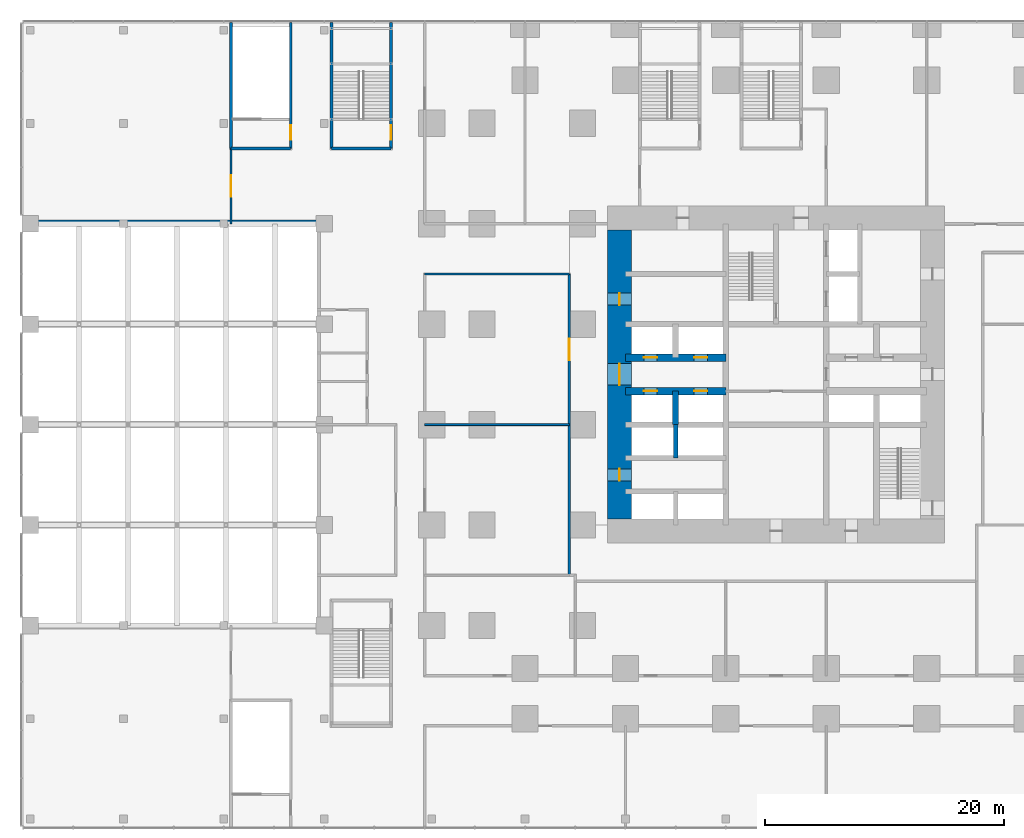
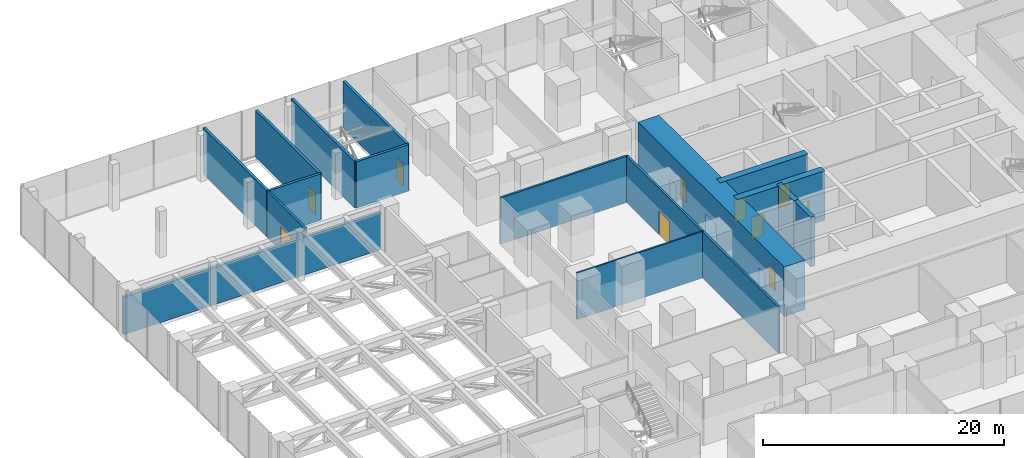
# One storey, part 27 of 33: 16 walls, 11 doors, 11 openings.
"""IFC4 building model written with IfcOpenShell, lengths in metres."""

from ifc_helpers import new_model, si_unit, direction, frame, frame_2d, origin, place, context, subcontext, project, spatial, rectangle, extrude, material, layer, layer_set, type_object, element, fill, save


model = new_model("IFC4")

# Units and contexts
model_context = context("Model", 3, precision=1e-05, world=origin(), true_north=direction((0.0, 1.0)))
body_context = subcontext(model_context, "Body", "Model", "MODEL_VIEW")
ifc_project = project(units=[si_unit("LENGTHUNIT", "METRE"), si_unit("AREAUNIT", "SQUARE_METRE"), si_unit("VOLUMEUNIT", "CUBIC_METRE"), si_unit("PLANEANGLEUNIT", "RADIAN"), si_unit("MASSUNIT", "GRAM", prefix="KILO")], contexts=[model_context])

# Site, building, storey
site_placement = place(None, origin())
site = spatial("IfcSite", under=ifc_project, at=site_placement, CompositionType="ELEMENT")
building_placement = place(site_placement, origin())
building = spatial("IfcBuilding", under=site, at=building_placement, Name="Dunama Terrace Hotel", CompositionType="ELEMENT")
storey_placement = place(building_placement, frame((0.0, 0.0, 12.0)))
storey = spatial("IfcBuildingStorey", under=building, at=storey_placement, Name="L02", CompositionType="ELEMENT", Elevation=12.0)

# Walls
ifc_material_1 = material(Name="Concrete blockwork", Category="masonry")
ifc_layer_1 = layer(ifc_material_1, 0.300048828125)
ifc_layer_set_1 = layer_set([ifc_layer_1], Name="Ballroom enclosure wall 300")
wall_type_1 = type_object("IfcWallType", Name="Ballroom enclosure wall 300", PredefinedType="PARTITIONING", material=ifc_layer_set_1)
wall_1_placement = place(storey_placement, frame((-33.60009765625, 42.14990234375, 0.0), z_axis=(0.0, 0.0, 1.0), x_axis=(1.0, 0.0, 0.0)))
element("IfcWall", 1, at=wall_1_placement, inside=storey, type_object=wall_type_1, Name="Ballroom enclosure wall", PredefinedType="PARTITIONING", context=body_context, shape_type="SweptSolid", body=[
    extrude(rectangle(XDim=24.60009765625, YDim=0.300048828125, at=frame_2d((12.300048828125, 0.0))), origin(), (0.0, 0.0, 1.0), 3.779052734375),
])
ifc_material_2 = material(Name="Concrete C50/60", Category="concrete")
ifc_layer_2 = layer(ifc_material_2, 0.39990234375)
ifc_layer_set_2 = layer_set([ifc_layer_2], Name="Core inner wall 400")
wall_type_2 = type_object("IfcWallType", Name="Core inner wall 400", PredefinedType="SHEAR", material=ifc_layer_set_2)
wall_2_placement = place(storey_placement, frame((21.0, 22.39990234375, -0.300048828125), z_axis=(0.0, 0.0, 1.0), x_axis=(0.0, 1.0, 0.0)))
element("IfcWall", 2, at=wall_2_placement, inside=storey, type_object=wall_type_2, Name="Core inner wall 400 L02", PredefinedType="SHEAR", context=body_context, shape_type="SweptSolid", body=[
    extrude(rectangle(XDim=2.800048828125, YDim=0.39990234375, at=frame_2d((1.39990234375, 0.0))), origin(), (0.0, 0.0, 1.0), 5.0),
])
ifc_material_3 = material(Name="Concrete C50/60", Category="concrete")
ifc_layer_3 = layer(ifc_material_3, 0.5)
ifc_layer_set_3 = layer_set([ifc_layer_3], Name="Core inner wall 500")
wall_type_3 = type_object("IfcWallType", Name="Core inner wall 500", PredefinedType="SHEAR", material=ifc_layer_set_3)
wall_3_placement = place(storey_placement, frame((21.0, 25.199951171875, -0.300048828125), z_axis=(0.0, 0.0, 1.0), x_axis=(0.0, 1.0, 0.0)))
element("IfcWall", 3, at=wall_3_placement, inside=storey, type_object=wall_type_3, Name="Core inner wall 500 L02", PredefinedType="SHEAR", context=body_context, shape_type="SweptSolid", body=[
    extrude(rectangle(XDim=2.800048828125, YDim=0.5, at=frame_2d((1.39990234375, 0.0))), origin(), (0.0, 0.0, 1.0), 5.0),
])

# Wall, openings, doors
ifc_material_4 = material(Name="Concrete C50/60", Category="concrete")
ifc_layer_4 = layer(ifc_material_4, 0.64990234375)
ifc_layer_set_4 = layer_set([ifc_layer_4], Name="Core inner wall 650")
wall_type_4 = type_object("IfcWallType", Name="Core inner wall 650", PredefinedType="SHEAR", material=ifc_layer_set_4)
wall_4_placement = place(storey_placement, frame((16.800048828125, 28.0, -0.300048828125), z_axis=(0.0, 0.0, 1.0), x_axis=(1.0, 0.0, 0.0)))
wall_4 = element("IfcWall", 4, at=wall_4_placement, inside=storey, type_object=wall_type_4, Name="Core inner wall 650 L02", PredefinedType="SHEAR", context=body_context, shape_type="SweptSolid", body=[
    extrude(rectangle(XDim=8.39990234375, YDim=0.64990234375, at=frame_2d((4.199951171875, 0.0))), origin(), (0.0, 0.0, 1.0), 5.0),
])
opening_1_placement = place(wall_4_placement, frame((1.550048828125, 0.0, 0.300048828125)))
opening_1 = element("IfcOpeningElement", 5, at=opening_1_placement, cuts=wall_4, Name="Opening L02-009", PredefinedType="OPENING", context=body_context, shape_type="SweptSolid", body=[
    extrude(rectangle(XDim=1.10009765625, YDim=2.199951171875, at=frame_2d((0.550048828125, 1.10009765625))), frame((0.0, 0.3349609375, 0.0), z_axis=(0.0, -1.0, 0.0), x_axis=(1.0, 0.0, 0.0)), (0.0, 0.0, 1.0), 0.669921875),
])
opening_2_placement = place(wall_4_placement, frame((5.75, 0.0, 0.300048828125)))
opening_2 = element("IfcOpeningElement", 6, at=opening_2_placement, cuts=wall_4, Name="Opening L02-010", PredefinedType="OPENING", context=body_context, shape_type="SweptSolid", body=[
    extrude(rectangle(XDim=1.10009765625, YDim=2.199951171875, at=frame_2d((0.550048828125, 1.10009765625))), frame((0.0, 0.3349609375, 0.0), z_axis=(0.0, -1.0, 0.0), x_axis=(1.0, 0.0, 0.0)), (0.0, 0.0, 1.0), 0.669921875),
])
ifc_material_5 = material(Name="Stainless steel lift door", Category="steel")
door_type_1 = type_object("IfcDoorType", Name="Lift landing door 1100", OperationType="DOUBLE_DOOR_SLIDING", PredefinedType="DOOR", material=ifc_material_5)
door_1_placement = place(opening_1_placement, origin())
door_1 = element("IfcDoor", 7, at=door_1_placement, inside=storey, type_object=door_type_1, Name="Landing door PA1 L02-009, type LD1", OperationType="DOUBLE_DOOR_SLIDING", OverallHeight=2.199951171875, OverallWidth=1.10009765625, PredefinedType="DOOR", context=body_context, shape_type="SweptSolid", body=[
    extrude(rectangle(XDim=1.10009765625, YDim=2.199951171875, at=frame_2d((0.550048828125, 1.10009765625))), frame((0.0, 0.02490234375, 0.0), z_axis=(0.0, -1.0, 0.0), x_axis=(1.0, 0.0, 0.0)), (0.0, 0.0, 1.0), 0.050048828125),
])
fill(opening_1, door_1)
door_2_placement = place(opening_2_placement, origin())
door_2 = element("IfcDoor", 8, at=door_2_placement, inside=storey, type_object=door_type_1, Name="Landing door PA2 L02-010, type LD1", OperationType="DOUBLE_DOOR_SLIDING", OverallHeight=2.199951171875, OverallWidth=1.10009765625, PredefinedType="DOOR", context=body_context, shape_type="SweptSolid", body=[
    extrude(rectangle(XDim=1.10009765625, YDim=2.199951171875, at=frame_2d((0.550048828125, 1.10009765625))), frame((0.0, 0.02490234375, 0.0), z_axis=(0.0, -1.0, 0.0), x_axis=(1.0, 0.0, 0.0)), (0.0, 0.0, 1.0), 0.050048828125),
])
fill(opening_2, door_2)

wall_5_placement = place(storey_placement, frame((16.800048828125, 30.800048828125, -0.300048828125), z_axis=(0.0, 0.0, 1.0), x_axis=(1.0, 0.0, 0.0)))
wall_5 = element("IfcWall", 9, at=wall_5_placement, inside=storey, type_object=wall_type_4, Name="Core inner wall 650 L02", PredefinedType="SHEAR", context=body_context, shape_type="SweptSolid", body=[
    extrude(rectangle(XDim=8.39990234375, YDim=0.64990234375, at=frame_2d((4.199951171875, 0.0))), origin(), (0.0, 0.0, 1.0), 5.0),
])
opening_3_placement = place(wall_5_placement, frame((1.550048828125, 0.0, 0.300048828125)))
opening_3 = element("IfcOpeningElement", 10, at=opening_3_placement, cuts=wall_5, Name="Opening L02-011", PredefinedType="OPENING", context=body_context, shape_type="SweptSolid", body=[
    extrude(rectangle(XDim=1.10009765625, YDim=2.199951171875, at=frame_2d((0.550048828125, 1.10009765625))), frame((0.0, 0.3349609375, 0.0), z_axis=(0.0, -1.0, 0.0), x_axis=(1.0, 0.0, 0.0)), (0.0, 0.0, 1.0), 0.669921875),
])
opening_4_placement = place(wall_5_placement, frame((5.75, 0.0, 0.300048828125)))
opening_4 = element("IfcOpeningElement", 11, at=opening_4_placement, cuts=wall_5, Name="Opening L02-012", PredefinedType="OPENING", context=body_context, shape_type="SweptSolid", body=[
    extrude(rectangle(XDim=1.10009765625, YDim=2.199951171875, at=frame_2d((0.550048828125, 1.10009765625))), frame((0.0, 0.3349609375, 0.0), z_axis=(0.0, -1.0, 0.0), x_axis=(1.0, 0.0, 0.0)), (0.0, 0.0, 1.0), 0.669921875),
])
door_3_placement = place(opening_3_placement, origin())
door_3 = element("IfcDoor", 12, at=door_3_placement, inside=storey, type_object=door_type_1, Name="Landing door PA3 L02-011, type LD1", OperationType="DOUBLE_DOOR_SLIDING", OverallHeight=2.199951171875, OverallWidth=1.10009765625, PredefinedType="DOOR", context=body_context, shape_type="SweptSolid", body=[
    extrude(rectangle(XDim=1.10009765625, YDim=2.199951171875, at=frame_2d((0.550048828125, 1.10009765625))), frame((0.0, 0.02490234375, 0.0), z_axis=(0.0, -1.0, 0.0), x_axis=(1.0, 0.0, 0.0)), (0.0, 0.0, 1.0), 0.050048828125),
])
fill(opening_3, door_3)
door_4_placement = place(opening_4_placement, origin())
door_4 = element("IfcDoor", 13, at=door_4_placement, inside=storey, type_object=door_type_1, Name="Landing door PA4 L02-012, type LD1", OperationType="DOUBLE_DOOR_SLIDING", OverallHeight=2.199951171875, OverallWidth=1.10009765625, PredefinedType="DOOR", context=body_context, shape_type="SweptSolid", body=[
    extrude(rectangle(XDim=1.10009765625, YDim=2.199951171875, at=frame_2d((0.550048828125, 1.10009765625))), frame((0.0, 0.02490234375, 0.0), z_axis=(0.0, -1.0, 0.0), x_axis=(1.0, 0.0, 0.0)), (0.0, 0.0, 1.0), 0.050048828125),
])
fill(opening_4, door_4)

ifc_material_6 = material(Name="Concrete C60/75", Category="concrete")
ifc_layer_5 = layer(ifc_material_6, 2.0)
ifc_layer_set_5 = layer_set([ifc_layer_5], Name="Core wall 2000")
wall_type_5 = type_object("IfcWallType", Name="Core wall 2000", PredefinedType="SHEAR", material=ifc_layer_set_5)
wall_6_placement = place(storey_placement, frame((16.300048828125, 41.5, -0.300048828125), z_axis=(0.0, 0.0, 1.0), x_axis=(0.0, -1.0, 0.0)))
wall_6 = element("IfcWall", 14, at=wall_6_placement, inside=storey, type_object=wall_type_5, Name="Core wall west L02", PredefinedType="SHEAR", context=body_context, shape_type="SweptSolid", body=[
    extrude(rectangle(XDim=24.199951171875, YDim=2.0, at=frame_2d((12.10009765625, 0.0))), origin(), (0.0, 0.0, 1.0), 5.0),
])
opening_5_placement = place(wall_6_placement, frame((11.199951171875, 0.0, 0.300048828125)))
opening_5 = element("IfcOpeningElement", 15, at=opening_5_placement, cuts=wall_6, Name="Opening L02-015", PredefinedType="OPENING", context=body_context, shape_type="SweptSolid", body=[
    extrude(rectangle(XDim=1.800048828125, YDim=2.199951171875, at=frame_2d((0.89990234375, 1.10009765625))), frame((0.0, 1.010009765625, 0.0), z_axis=(0.0, -1.0, 0.0), x_axis=(1.0, 0.0, 0.0)), (0.0, 0.0, 1.0), 2.02001953125),
])
opening_6_placement = place(wall_6_placement, frame((20.0, 0.0, 0.300048828125)))
opening_6 = element("IfcOpeningElement", 16, at=opening_6_placement, cuts=wall_6, Name="Opening L02-016", PredefinedType="OPENING", context=body_context, shape_type="SweptSolid", body=[
    extrude(rectangle(XDim=1.0, YDim=2.10009765625, at=frame_2d((0.5, 1.050048828125))), frame((0.0, 1.010009765625, 0.0), z_axis=(0.0, -1.0, 0.0), x_axis=(1.0, 0.0, 0.0)), (0.0, 0.0, 1.0), 2.02001953125),
])
opening_7_placement = place(wall_6_placement, frame((5.300048828125, 0.0, 0.300048828125)))
opening_7 = element("IfcOpeningElement", 17, at=opening_7_placement, cuts=wall_6, Name="Opening L02-017", PredefinedType="OPENING", context=body_context, shape_type="SweptSolid", body=[
    extrude(rectangle(XDim=1.0, YDim=2.10009765625, at=frame_2d((0.5, 1.050048828125))), frame((0.0, 1.010009765625, 0.0), z_axis=(0.0, -1.0, 0.0), x_axis=(1.0, 0.0, 0.0)), (0.0, 0.0, 1.0), 2.02001953125),
])
ifc_material_7 = material(Name="Timber door with steel frame", Category="steel")
door_type_2 = type_object("IfcDoorType", Name="Lift lobby double door 1800", OperationType="DOUBLE_DOOR_DOUBLE_SWING", PredefinedType="DOOR", material=ifc_material_7)
door_5_placement = place(opening_5_placement, origin())
door_5 = element("IfcDoor", 18, at=door_5_placement, inside=storey, type_object=door_type_2, Name="Door to lift lobby L02-015, type D3", OperationType="DOUBLE_DOOR_DOUBLE_SWING", OverallHeight=2.199951171875, OverallWidth=1.800048828125, PredefinedType="DOOR", context=body_context, shape_type="SweptSolid", body=[
    extrude(rectangle(XDim=1.800048828125, YDim=2.199951171875, at=frame_2d((0.89990234375, 1.10009765625))), frame((0.0, 0.02490234375, 0.0), z_axis=(0.0, -1.0, 0.0), x_axis=(1.0, 0.0, 0.0)), (0.0, 0.0, 1.0), 0.050048828125),
])
fill(opening_5, door_5)
ifc_material_8 = material(Name="Timber door with steel frame", Category="steel")
door_type_3 = type_object("IfcDoorType", Name="Service door 1000", OperationType="SINGLE_SWING_LEFT", PredefinedType="DOOR", material=ifc_material_8)
door_6_placement = place(opening_6_placement, origin())
door_6 = element("IfcDoor", 19, at=door_6_placement, inside=storey, type_object=door_type_3, Name="Door to service lobby L02-016, type D7", OperationType="SINGLE_SWING_LEFT", OverallHeight=2.10009765625, OverallWidth=1.0, PredefinedType="DOOR", context=body_context, shape_type="SweptSolid", body=[
    extrude(rectangle(XDim=1.0, YDim=2.10009765625, at=frame_2d((0.5, 1.050048828125))), frame((0.0, 0.02490234375, 0.0), z_axis=(0.0, -1.0, 0.0), x_axis=(1.0, 0.0, 0.0)), (0.0, 0.0, 1.0), 0.050048828125),
])
fill(opening_6, door_6)
door_7_placement = place(opening_7_placement, origin())
door_7 = element("IfcDoor", 20, at=door_7_placement, inside=storey, type_object=door_type_3, Name="Door to electrical room L02-017, type D7", OperationType="SINGLE_SWING_RIGHT", OverallHeight=2.10009765625, OverallWidth=1.0, PredefinedType="DOOR", context=body_context, shape_type="SweptSolid", body=[
    extrude(rectangle(XDim=1.0, YDim=2.10009765625, at=frame_2d((0.5, 1.050048828125))), frame((0.0, 0.02490234375, 0.0), z_axis=(0.0, -1.0, 0.0), x_axis=(1.0, 0.0, 0.0)), (0.0, 0.0, 1.0), 0.050048828125),
])
fill(opening_7, door_7)

# Wall
ifc_material_9 = material(Name="Concrete blockwork", Category="masonry")
ifc_layer_6 = layer(ifc_material_9, 0.199951171875)
ifc_layer_set_6 = layer_set([ifc_layer_6], Name="Corridor partition 200")
wall_type_6 = type_object("IfcWallType", Name="Corridor partition 200", PredefinedType="PARTITIONING", material=ifc_layer_set_6)
wall_7_placement = place(storey_placement, frame((0.0, 37.800048828125, 0.0), z_axis=(0.0, 0.0, 1.0), x_axis=(1.0, 0.0, 0.0)))
element("IfcWall", 21, at=wall_7_placement, inside=storey, type_object=wall_type_6, Name="Corridor partition 200 L02", PredefinedType="PARTITIONING", context=body_context, shape_type="SweptSolid", body=[
    extrude(rectangle(XDim=12.10009765625, YDim=0.199951171875, at=frame_2d((6.050048828125, 0.0))), origin(), (0.0, 0.0, 1.0), 4.699951171875),
])

# Wall, opening, door
wall_8_placement = place(storey_placement, frame((-16.199951171875, 48.300048828125, 0.0), z_axis=(0.0, 0.0, 1.0), x_axis=(0.0, -1.0, 0.0)))
wall_8 = element("IfcWall", 22, at=wall_8_placement, inside=storey, type_object=wall_type_6, Name="Corridor partition 200 L02", PredefinedType="PARTITIONING", context=body_context, shape_type="SweptSolid", body=[
    extrude(rectangle(XDim=6.300048828125, YDim=0.199951171875, at=frame_2d((3.14990234375, 0.0))), origin(), (0.0, 0.0, 1.0), 4.699951171875),
])
opening_8_placement = place(wall_8_placement, frame((2.25, 0.0, 0.0)))
opening_8 = element("IfcOpeningElement", 23, at=opening_8_placement, cuts=wall_8, Name="Opening L02-028", PredefinedType="OPENING", context=body_context, shape_type="SweptSolid", body=[
    extrude(rectangle(XDim=1.800048828125, YDim=2.39990234375, at=frame_2d((0.89990234375, 1.199951171875))), frame((0.0, 0.10986328125, 0.0), z_axis=(0.0, -1.0, 0.0), x_axis=(1.0, 0.0, 0.0)), (0.0, 0.0, 1.0), 0.219970703125),
])
ifc_material_10 = material(Name="Aluminium-framed glazed door", Category="aluminium")
door_type_4 = type_object("IfcDoorType", Name="Glazed double door 1800", OperationType="DOUBLE_DOOR_DOUBLE_SWING", PredefinedType="DOOR", material=ifc_material_10)
door_8_placement = place(opening_8_placement, origin())
door_8 = element("IfcDoor", 24, at=door_8_placement, inside=storey, type_object=door_type_4, Name="Door to meeting room 5 L02-028, type D8", OperationType="DOUBLE_DOOR_DOUBLE_SWING", OverallHeight=2.39990234375, OverallWidth=1.800048828125, PredefinedType="DOOR", context=body_context, shape_type="SweptSolid", body=[
    extrude(rectangle(XDim=1.800048828125, YDim=2.39990234375, at=frame_2d((0.89990234375, 1.199951171875))), frame((0.0, 0.02490234375, 0.0), z_axis=(0.0, -1.0, 0.0), x_axis=(1.0, 0.0, 0.0)), (0.0, 0.0, 1.0), 0.050048828125),
])
fill(opening_8, door_8)

wall_9_placement = place(storey_placement, frame((12.10009765625, 37.800048828125, 0.0), z_axis=(0.0, 0.0, 1.0), x_axis=(0.0, -1.0, 0.0)))
wall_9 = element("IfcWall", 25, at=wall_9_placement, inside=storey, type_object=wall_type_6, Name="Corridor partition 200 L02", PredefinedType="PARTITIONING", context=body_context, shape_type="SweptSolid", body=[
    extrude(rectangle(XDim=25.199951171875, YDim=0.199951171875, at=frame_2d((12.60009765625, 0.0))), origin(), (0.0, 0.0, 1.0), 4.699951171875),
])
opening_9_placement = place(wall_9_placement, frame((5.39990234375, 0.0, 0.0)))
opening_9 = element("IfcOpeningElement", 26, at=opening_9_placement, cuts=wall_9, Name="Opening L02-043", PredefinedType="OPENING", context=body_context, shape_type="SweptSolid", body=[
    extrude(rectangle(XDim=1.800048828125, YDim=2.39990234375, at=frame_2d((0.89990234375, 1.199951171875))), frame((0.0, 0.10986328125, 0.0), z_axis=(0.0, -1.0, 0.0), x_axis=(1.0, 0.0, 0.0)), (0.0, 0.0, 1.0), 0.219970703125),
])
door_9_placement = place(opening_9_placement, origin())
door_9 = element("IfcDoor", 27, at=door_9_placement, inside=storey, type_object=door_type_4, Name="Door to meeting room 12 L02-043, type D8", OperationType="DOUBLE_DOOR_DOUBLE_SWING", OverallHeight=2.39990234375, OverallWidth=1.800048828125, PredefinedType="DOOR", context=body_context, shape_type="SweptSolid", body=[
    extrude(rectangle(XDim=1.800048828125, YDim=2.39990234375, at=frame_2d((0.89990234375, 1.199951171875))), frame((0.0, 0.02490234375, 0.0), z_axis=(0.0, -1.0, 0.0), x_axis=(1.0, 0.0, 0.0)), (0.0, 0.0, 1.0), 0.050048828125),
])
fill(opening_9, door_9)

# Walls
ifc_material_11 = material(Name="Gypsum board partition", Category="masonry")
ifc_layer_7 = layer(ifc_material_11, 0.14990234375)
ifc_layer_set_7 = layer_set([ifc_layer_7], Name="Room partition 150")
wall_type_7 = type_object("IfcWallType", Name="Room partition 150", PredefinedType="PARTITIONING", material=ifc_layer_set_7)
wall_10_placement = place(storey_placement, frame((0.0, 25.199951171875, 0.0), z_axis=(0.0, 0.0, 1.0), x_axis=(1.0, 0.0, 0.0)))
element("IfcWall", 28, at=wall_10_placement, inside=storey, type_object=wall_type_7, Name="Room partition 150 L02", PredefinedType="PARTITIONING", context=body_context, shape_type="SweptSolid", body=[
    extrude(rectangle(XDim=12.10009765625, YDim=0.14990234375, at=frame_2d((6.050048828125, 0.0))), origin(), (0.0, 0.0, 1.0), 4.699951171875),
])
ifc_material_12 = material(Name="Concrete blockwork", Category="masonry")
ifc_layer_8 = layer(ifc_material_12, 0.25)
ifc_layer_set_8 = layer_set([ifc_layer_8], Name="Stair enclosure wall 250")
wall_type_8 = type_object("IfcWallType", Name="Stair enclosure wall 250", PredefinedType="PARTITIONING", material=ifc_layer_set_8)
wall_11_placement = place(storey_placement, frame((-16.199951171875, 48.300048828125, 0.0), z_axis=(0.0, 0.0, 1.0), x_axis=(0.0, 1.0, 0.0)))
element("IfcWall", 29, at=wall_11_placement, inside=storey, type_object=wall_type_8, Name="Stair enclosure wall 250 L02", PredefinedType="PARTITIONING", context=body_context, shape_type="SweptSolid", body=[
    extrude(rectangle(XDim=10.52294921875, YDim=0.25, at=frame_2d((5.261474609375, 0.0))), origin(), (0.0, 0.0, 1.0), 4.699951171875),
])

# Wall, opening, door
wall_12_placement = place(storey_placement, frame((-11.199951171875, 48.300048828125, 0.0), z_axis=(0.0, 0.0, 1.0), x_axis=(0.0, 1.0, 0.0)))
wall_12 = element("IfcWall", 30, at=wall_12_placement, inside=storey, type_object=wall_type_8, Name="Stair enclosure wall 250 L02", PredefinedType="PARTITIONING", context=body_context, shape_type="SweptSolid", body=[
    extrude(rectangle(XDim=10.52294921875, YDim=0.25, at=frame_2d((5.261474609375, 0.0))), origin(), (0.0, 0.0, 1.0), 4.699951171875),
])
opening_10_placement = place(wall_12_placement, frame((0.72509765625, 0.0, 0.0)))
opening_10 = element("IfcOpeningElement", 31, at=opening_10_placement, cuts=wall_12, Name="Opening L02-003", PredefinedType="OPENING", context=body_context, shape_type="SweptSolid", body=[
    extrude(rectangle(XDim=1.199951171875, YDim=2.199951171875, at=frame_2d((0.60009765625, 1.10009765625))), frame((0.0, 0.135009765625, 0.0), z_axis=(0.0, -1.0, 0.0), x_axis=(1.0, 0.0, 0.0)), (0.0, 0.0, 1.0), 0.27001953125),
])
ifc_material_13 = material(Name="Timber door with steel frame", Category="steel")
door_type_5 = type_object("IfcDoorType", Name="Stair door 1200", OperationType="SINGLE_SWING_LEFT", PredefinedType="DOOR", material=ifc_material_13)
door_10_placement = place(opening_10_placement, origin())
door_10 = element("IfcDoor", 32, at=door_10_placement, inside=storey, type_object=door_type_5, Name="Stair door P1 L02-003, type D5", OperationType="SINGLE_SWING_LEFT", OverallHeight=2.199951171875, OverallWidth=1.199951171875, PredefinedType="DOOR", context=body_context, shape_type="SweptSolid", body=[
    extrude(rectangle(XDim=1.199951171875, YDim=2.199951171875, at=frame_2d((0.60009765625, 1.10009765625))), frame((0.0, 0.02490234375, 0.0), z_axis=(0.0, -1.0, 0.0), x_axis=(1.0, 0.0, 0.0)), (0.0, 0.0, 1.0), 0.050048828125),
])
fill(opening_10, door_10)

# Wall
wall_13_placement = place(storey_placement, frame((-7.800048828125, 48.300048828125, 0.0), z_axis=(0.0, 0.0, 1.0), x_axis=(0.0, 1.0, 0.0)))
element("IfcWall", 33, at=wall_13_placement, inside=storey, type_object=wall_type_8, Name="Stair enclosure wall 250 L02", PredefinedType="PARTITIONING", context=body_context, shape_type="SweptSolid", body=[
    extrude(rectangle(XDim=10.52294921875, YDim=0.25, at=frame_2d((5.261474609375, 0.0))), origin(), (0.0, 0.0, 1.0), 4.699951171875),
])

# Wall, opening, door
wall_14_placement = place(storey_placement, frame((-2.800048828125, 48.300048828125, 0.0), z_axis=(0.0, 0.0, 1.0), x_axis=(0.0, 1.0, 0.0)))
wall_14 = element("IfcWall", 34, at=wall_14_placement, inside=storey, type_object=wall_type_8, Name="Stair enclosure wall 250 L02", PredefinedType="PARTITIONING", context=body_context, shape_type="SweptSolid", body=[
    extrude(rectangle(XDim=10.52294921875, YDim=0.25, at=frame_2d((5.261474609375, 0.0))), origin(), (0.0, 0.0, 1.0), 4.699951171875),
])
opening_11_placement = place(wall_14_placement, frame((0.72509765625, 0.0, 0.0)))
opening_11 = element("IfcOpeningElement", 35, at=opening_11_placement, cuts=wall_14, Name="Opening L02-005", PredefinedType="OPENING", context=body_context, shape_type="SweptSolid", body=[
    extrude(rectangle(XDim=1.199951171875, YDim=2.199951171875, at=frame_2d((0.60009765625, 1.10009765625))), frame((0.0, 0.135009765625, 0.0), z_axis=(0.0, -1.0, 0.0), x_axis=(1.0, 0.0, 0.0)), (0.0, 0.0, 1.0), 0.27001953125),
])
door_11_placement = place(opening_11_placement, origin())
door_11 = element("IfcDoor", 36, at=door_11_placement, inside=storey, type_object=door_type_5, Name="Stair door P3 L02-005, type D5", OperationType="SINGLE_SWING_RIGHT", OverallHeight=2.199951171875, OverallWidth=1.199951171875, PredefinedType="DOOR", context=body_context, shape_type="SweptSolid", body=[
    extrude(rectangle(XDim=1.199951171875, YDim=2.199951171875, at=frame_2d((0.60009765625, 1.10009765625))), frame((0.0, 0.02490234375, 0.0), z_axis=(0.0, -1.0, 0.0), x_axis=(1.0, 0.0, 0.0)), (0.0, 0.0, 1.0), 0.050048828125),
])
fill(opening_11, door_11)

# Walls
for number, where, z_axis, x_axis, name in (
    (37, (-16.199951171875, 48.300048828125, 0.0), (0.0, 0.0, 1.0), (1.0, 0.0, 0.0), "Stair enclosure wall 250 L02"),
    (38, (-7.800048828125, 48.300048828125, 0.0), (0.0, 0.0, 1.0), (1.0, 0.0, 0.0), "Stair enclosure wall 250 L02"),
):
    element("IfcWall", number, at=place(storey_placement, frame(where, z_axis=z_axis, x_axis=x_axis)), inside=storey, type_object=wall_type_8, Name=name, PredefinedType="PARTITIONING", context=body_context, shape_type="SweptSolid", body=[
        extrude(rectangle(XDim=5.0, YDim=0.25, at=frame_2d((2.5, 0.0))), origin(), (0.0, 0.0, 1.0), 4.699951171875),
    ])

save(model, "model.ifc")
